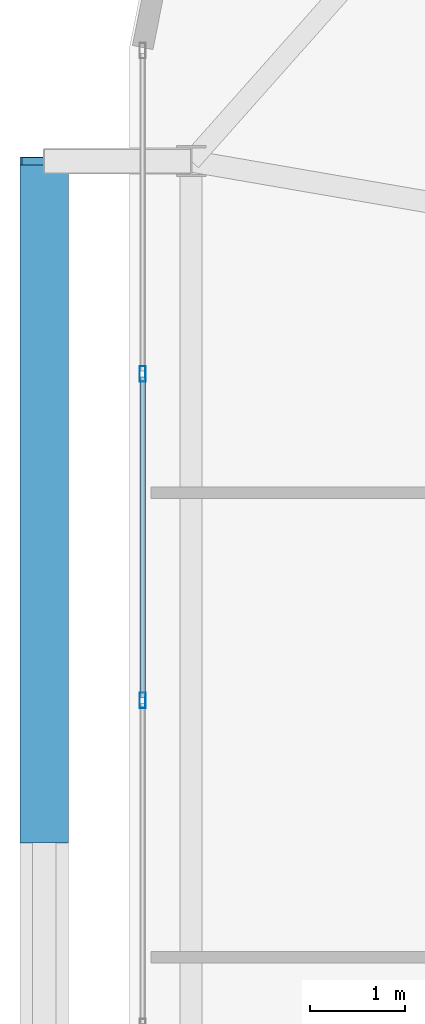
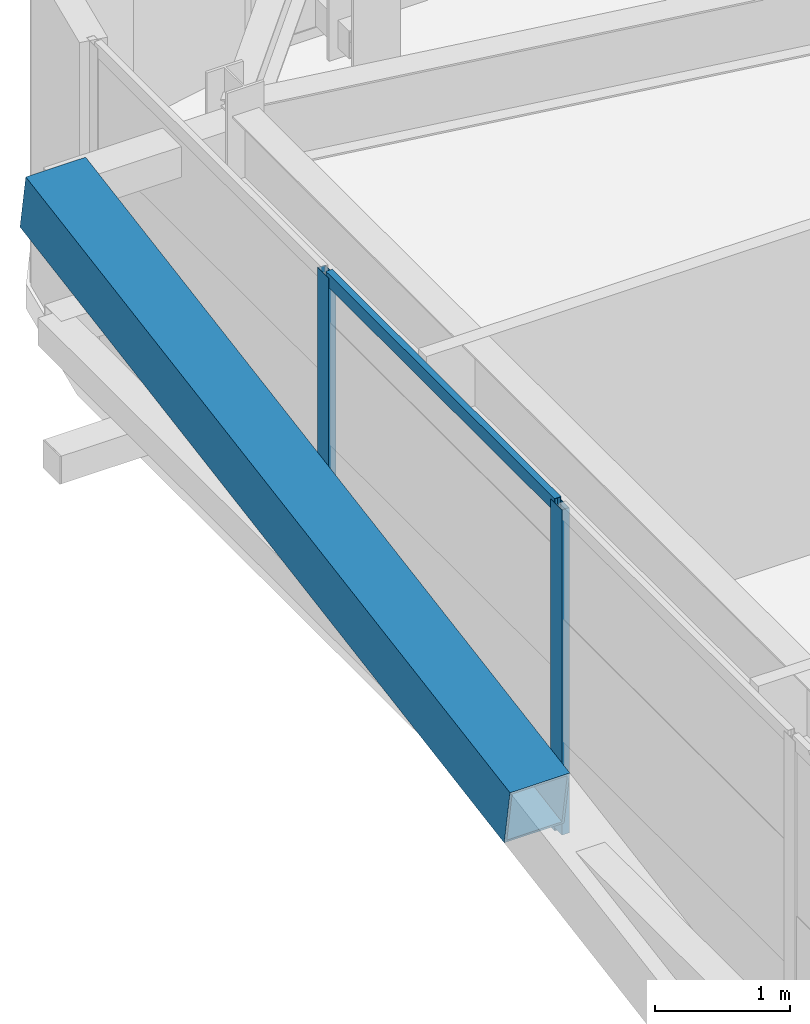
# One storey, part 18 of 58: 5 members, 1 element without a shape of its own.
"""IFC4 building model written with IfcOpenShell, lengths in metres."""

from ifc_helpers import new_model, si_unit, direction, frame, origin, origin_2d, place, context, subcontext, project, spatial, hollow_rectangle, extrude, source, transform, mapped, material, layer, layer_set, material_profile, profile_set, type_object, element, aggregate, save


model = new_model("IFC4")

# Units and contexts
model_context = context("Model", 3, precision=1e-05, world=origin(), true_north=direction((0.0, 1.0)))
body_context = subcontext(model_context, "Body", "Model", "MODEL_VIEW")
ifc_project = project(units=[si_unit("LENGTHUNIT", "METRE"), si_unit("AREAUNIT", "SQUARE_METRE"), si_unit("VOLUMEUNIT", "CUBIC_METRE"), si_unit("PLANEANGLEUNIT", "RADIAN"), si_unit("MASSUNIT", "GRAM", prefix="KILO")], contexts=[model_context])

# Site, building, storey
site_placement = place(None, origin())
site = spatial("IfcSite", under=ifc_project, at=site_placement, CompositionType="ELEMENT")
building_placement = place(site_placement, origin())
building = spatial("IfcBuilding", under=site, at=building_placement, Name="Taldren Reach Tower", CompositionType="ELEMENT")
storey_placement = place(building_placement, frame((0.0, 0.0, 32.550048828125)))
storey = spatial("IfcBuildingStorey", under=building, at=storey_placement, Name="L09", CompositionType="ELEMENT", Elevation=32.550048828125)

# Member
ifc_material_1 = material(Name="Steel Gr 450 (C450L0)", Category="steel")
ifc_material_profile_1 = material_profile(ifc_material_1, hollow_rectangle(XDim=0.510009765625, YDim=0.510009765625, WallThickness=0.02001953125, at=origin_2d()), Name="510x510x20.0SHS")
ifc_profile_set_1 = profile_set([ifc_material_profile_1], Name="Steel Gr 450 (C450L0)")
member_type_1 = type_object("IfcMemberType", Name="MB-EXO508", PredefinedType="BRACE", material=ifc_profile_set_1)
shared_shape_1 = source(origin(), body_context, "Body", "SweptSolid", [
    extrude(hollow_rectangle(XDim=0.510009765625, YDim=0.510009765625, WallThickness=0.02001953125, at=origin_2d()), origin(), (0.0, 0.0, 1.0), 7.252685546875),
])
member_1_placement = place(storey_placement, frame((4.10009765625, 27.14990234375, 1.43505859375), z_axis=(0.0, 0.985871360071, 0.167504213054), x_axis=(-1.0, 0.0, 0.0)))
element("IfcMember", 1, at=member_1_placement, inside=storey, type_object=member_type_1, Name="Exoskeleton Diagrid Brace B1-W2 L09", PredefinedType="BRACE", context=body_context, shape_type="MappedRepresentation", body=[
    mapped(shared_shape_1, transform((0.0, 0.0, 0.0), scale=1.0)),
])

# Curtain wall, members
ifc_material_2 = material(Name="Aluminium and Low-E Glass Unitised System", Category="aluminium")
ifc_layer = layer(ifc_material_2, 0.159912109375)
ifc_layer_set = layer_set([ifc_layer], Name="Aluminium and Low-E Glass Unitised System")
curtain_wall_type = type_object("IfcCurtainWallType", Name="CW-SYS-2", PredefinedType="NOTDEFINED", material=ifc_layer_set)
curtain_wall_placement = place(storey_placement, origin())
curtain_wall = element("IfcCurtainWall", 2, at=curtain_wall_placement, inside=storey, type_object=curtain_wall_type, Name="Unitised curtain wall CW-L09-W", PredefinedType="NOTDEFINED")
ifc_material_3 = material(Name="Anodised Aluminium 6063-T6", Category="aluminium")
ifc_material_profile_2 = material_profile(ifc_material_3, hollow_rectangle(XDim=0.06494140625, YDim=0.1650390625, WallThickness=0.00390625, at=origin_2d()), Name="ALU-165x65x4RHS")
ifc_profile_set_2 = profile_set([ifc_material_profile_2], Name="Anodised Aluminium 6063-T6")
member_type_2 = type_object("IfcMemberType", Name="CW-MUL-165", PredefinedType="MULLION", material=ifc_profile_set_2)
shared_shape_2 = source(origin(), body_context, "Body", "SweptSolid", [
    extrude(hollow_rectangle(XDim=0.06494140625, YDim=0.1650390625, WallThickness=0.00390625, at=origin_2d()), origin(), (0.0, 0.0, 1.0), 2.929931640625),
])
member_2_placement = place(storey_placement, frame((5.139892578125, 32.0556640625, 0.0), z_axis=(0.0, 0.0, 1.0), x_axis=(1.0, 0.0, 0.0)))
member_2 = element("IfcMember", 3, at=member_2_placement, type_object=member_type_2, Name="CW-2 mullion 2", PredefinedType="MULLION", context=body_context, shape_type="MappedRepresentation", body=[
    mapped(shared_shape_2, transform((0.0, 0.0, 0.0), scale=1.0)),
])
member_3_placement = place(storey_placement, frame((5.139892578125, 28.611083984375, 0.0), z_axis=(0.0, 0.0, 1.0), x_axis=(1.0, 0.0, 0.0)))
member_3 = element("IfcMember", 4, at=member_3_placement, type_object=member_type_2, Name="CW-2 mullion 3", PredefinedType="MULLION", context=body_context, shape_type="MappedRepresentation", body=[
    mapped(shared_shape_2, transform((0.0, 0.0, 0.0), scale=1.0)),
])
ifc_material_profile_3 = material_profile(ifc_material_3, hollow_rectangle(XDim=0.054931640625, YDim=0.1201171875, WallThickness=0.0029296875, at=origin_2d()), Name="ALU-120x55x3RHS")
ifc_profile_set_3 = profile_set([ifc_material_profile_3], Name="Anodised Aluminium 6063-T6")
member_type_3 = type_object("IfcMemberType", Name="CW-TRN-135", PredefinedType="USERDEFINED", material=ifc_profile_set_3)
shared_shape_3 = source(origin(), body_context, "Body", "SweptSolid", [
    extrude(hollow_rectangle(XDim=0.054931640625, YDim=0.1201171875, WallThickness=0.0029296875, at=origin_2d()), origin(), (0.0, 0.0, 1.0), 3.37939453125),
])
member_4_placement = place(storey_placement, frame((5.139892578125, 32.02294921875, 0.02734375), z_axis=(0.0, -1.0, 0.0), x_axis=(1.0, 0.0, 0.0)))
member_4 = element("IfcMember", 5, at=member_4_placement, type_object=member_type_3, Name="CW-2 transom 2.1", ObjectType="TRANSOM", PredefinedType="USERDEFINED", context=body_context, shape_type="MappedRepresentation", body=[
    mapped(shared_shape_3, transform((0.0, 0.0, 0.0), scale=1.0)),
])
member_5_placement = place(storey_placement, frame((5.139892578125, 32.02294921875, 2.90234375), z_axis=(0.0, -1.0, 0.0), x_axis=(1.0, 0.0, 0.0)))
member_5 = element("IfcMember", 6, at=member_5_placement, type_object=member_type_3, Name="CW-2 transom 2.2", ObjectType="TRANSOM", PredefinedType="USERDEFINED", context=body_context, shape_type="MappedRepresentation", body=[
    mapped(shared_shape_3, transform((0.0, 0.0, 0.0), scale=1.0)),
])
aggregate(curtain_wall, [member_2, member_3, member_4, member_5])

save(model, "model.ifc")
